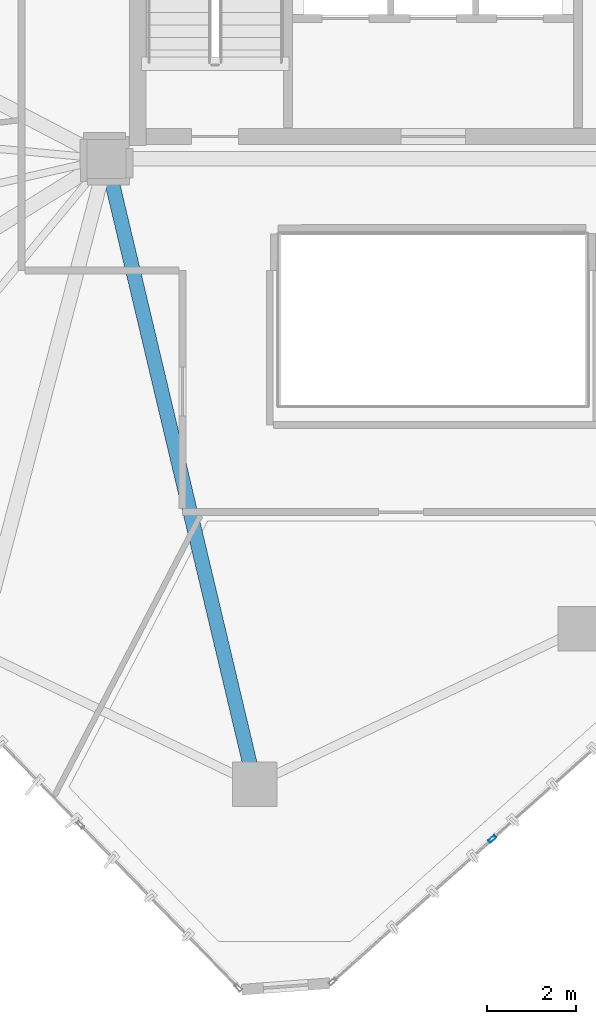
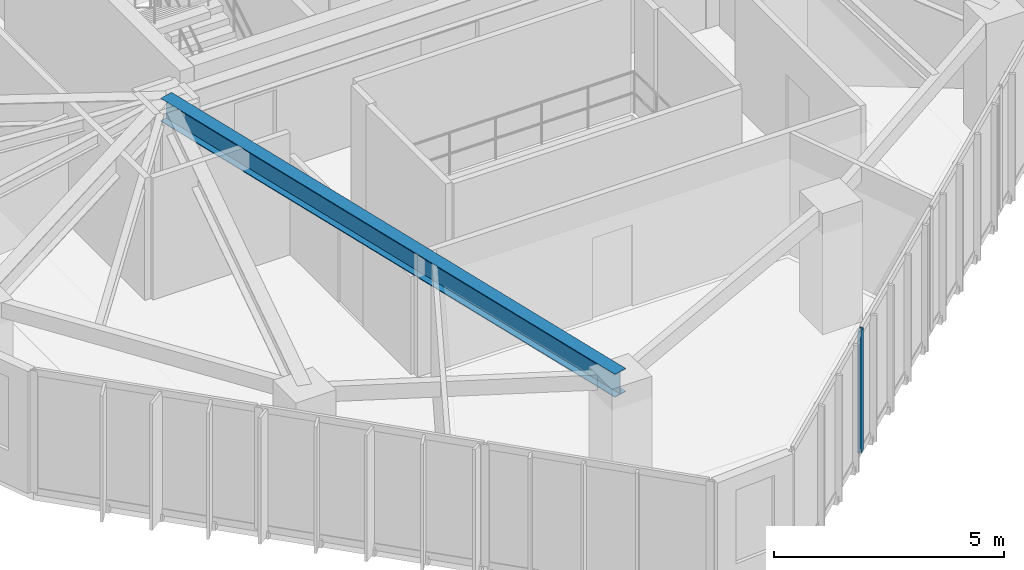
# One storey, part 4 of 20: 1 beam, 1 member, 1 element without a shape of its own.
"""IFC4 building model written with IfcOpenShell, lengths in metres."""

from ifc_helpers import new_model, si_unit, direction, frame, origin, origin_2d, place, context, subcontext, project, spatial, hollow_rectangle, i_section, extrude, source, transform, mapped, material, layer, layer_set, material_profile, profile_set, type_object, type_shapes, element, aggregate, save


model = new_model("IFC4")

# Units and contexts
model_context = context("Model", 3, precision=1e-05, world=origin(), true_north=direction((0.0, 1.0)))
body_context = subcontext(model_context, "Body", "Model", "MODEL_VIEW")
ifc_project = project(units=[si_unit("LENGTHUNIT", "METRE"), si_unit("AREAUNIT", "SQUARE_METRE"), si_unit("VOLUMEUNIT", "CUBIC_METRE"), si_unit("PLANEANGLEUNIT", "RADIAN"), si_unit("MASSUNIT", "GRAM", prefix="KILO")], contexts=[model_context])

# Site, building, storey
site_placement = place(None, origin())
site = spatial("IfcSite", under=ifc_project, at=site_placement, CompositionType="ELEMENT")
building_placement = place(site_placement, origin())
building = spatial("IfcBuilding", under=site, at=building_placement, Name="Talar Marvaseh", CompositionType="ELEMENT")
storey_placement = place(building_placement, frame((0.0, 0.0, 215.199951171875)))
storey = spatial("IfcBuildingStorey", under=building, at=storey_placement, Name="L56", CompositionType="ELEMENT", Elevation=215.199951171875)

# Beam
ifc_material_1 = material(Name="Steel S355", Category="steel")
ifc_material_profile_1 = material_profile(ifc_material_1, i_section(OverallWidth=0.324951171875, OverallDepth=0.615966796875, WebThickness=0.013916015625, FlangeThickness=0.021484375, at=origin_2d()), Name="W610x174")
ifc_profile_set_1 = profile_set([ifc_material_profile_1], Name="Steel S355")
beam_type = type_object("IfcBeamType", Name="Zone 3 Radial Floor Girder W610x174", PredefinedType="BEAM", material=ifc_profile_set_1)
beam_placement = place(storey_placement, frame((22.014892578125, 11.51904296875, 2.922119140625), z_axis=(-0.230707708791, 0.973023099985, 0.0), x_axis=(-0.973023099985, -0.230707708791, 0.0)))
element("IfcBeam", 1, at=beam_placement, inside=storey, type_object=beam_type, Name="L56 Zone 3 Radial Floor Girder W610x174", PredefinedType="BEAM", context=body_context, shape_type="SweptSolid", body=[
    extrude(i_section(OverallWidth=0.324951171875, OverallDepth=0.615966796875, WebThickness=0.013916015625, FlangeThickness=0.021484375, at=origin_2d()), origin(), (0.0, 0.0, 1.0), 14.36865234375),
])

# Curtain wall, member
ifc_material_2 = material(Name="Architectural Aluminium", Category="aluminium")
ifc_layer = layer(ifc_material_2, 0.18994140625)
ifc_layer_set = layer_set([ifc_layer], Name="Architectural Aluminium")
curtain_wall_type = type_object("IfcCurtainWallType", Name="Unitised Solar Atelier Curtain Wall Z3", PredefinedType="NOTDEFINED", material=ifc_layer_set)
curtain_wall_placement = place(storey_placement, origin())
curtain_wall = element("IfcCurtainWall", 2, at=curtain_wall_placement, inside=storey, type_object=curtain_wall_type, Name="L56 Unitised Solar Atelier Curtain Wall Z3", PredefinedType="NOTDEFINED")
ifc_material_profile_2 = material_profile(ifc_material_2, hollow_rectangle(XDim=0.074951171875, YDim=0.179931640625, WallThickness=0.0048828125, at=origin_2d()), Name="RHS180x75x5")
ifc_profile_set_2 = profile_set([ifc_material_profile_2], Name="Architectural Aluminium")
member_type = type_object("IfcMemberType", Name="Unitised Curtain Wall Standard Mullion RHS180x75x5", PredefinedType="MULLION", material=ifc_profile_set_2)
shared_shape = source(origin(), body_context, "Body", "SweptSolid", [
    extrude(hollow_rectangle(XDim=0.074951171875, YDim=0.179931640625, WallThickness=0.0048828125, at=origin_2d()), origin(), (0.0, 0.0, 1.0), 3.22998046875),
])
type_shapes(member_type, [shared_shape])
member_placement = place(storey_placement, frame((27.326416015625, 10.29541015625, 0.0), z_axis=(0.0, 0.0, 1.0), x_axis=(0.665997945274, -0.74595357556, 0.0)))
member = element("IfcMember", 3, at=member_placement, type_object=member_type, Name="CW-Z3 mullion 4", PredefinedType="MULLION", context=body_context, shape_type="MappedRepresentation", body=[
    mapped(shared_shape, transform((0.0, 0.0, 0.0), x_axis=(1.0, 0.0, 0.0), y_axis=(0.0, 1.0, 0.0), z_axis=(0.0, 0.0, 1.0), scale=1.0)),
])
aggregate(curtain_wall, [member])

save(model, "model.ifc")
